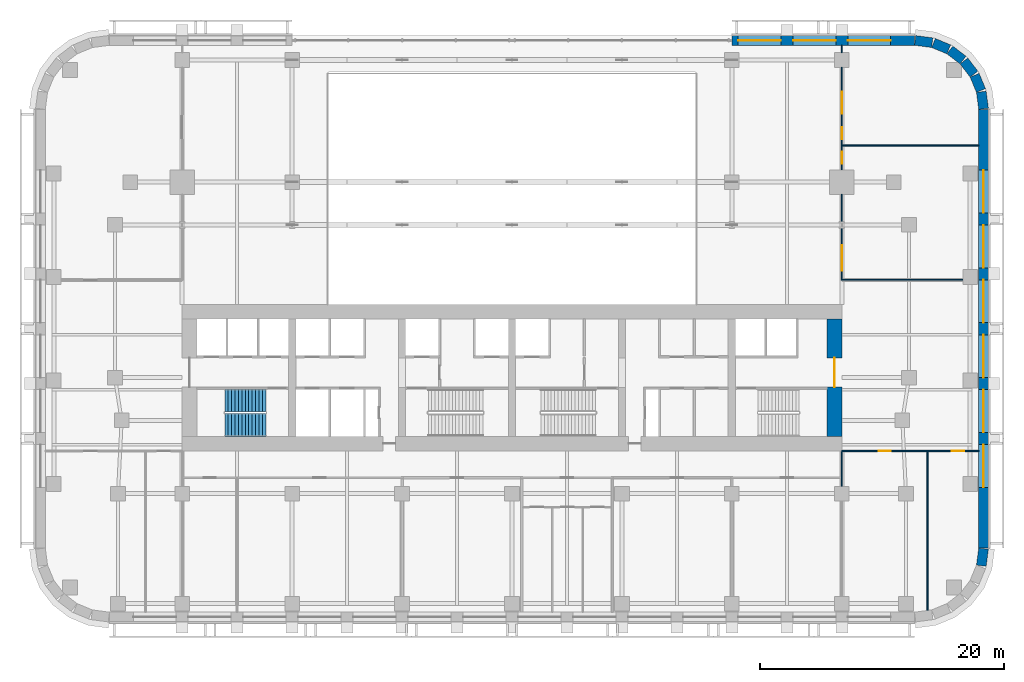
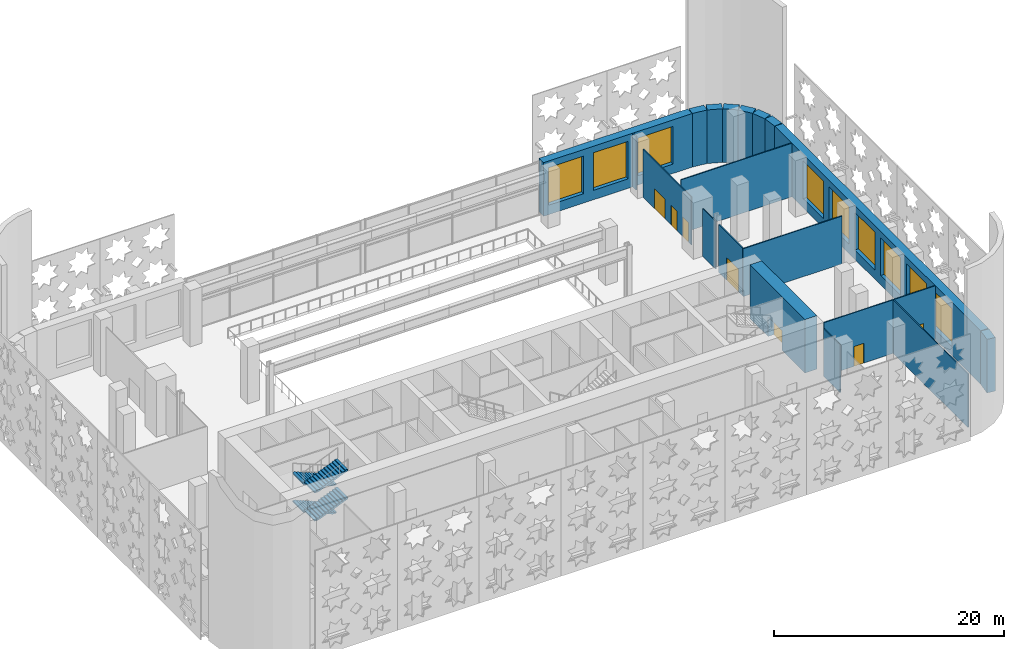
# One storey, part 8 of 17: 19 walls, 9 windows, 7 doors, 4 stair flights, 16 openings, 1 element without a shape of its own.
"""IFC4 building model written with IfcOpenShell, lengths in metres."""

from ifc_helpers import new_model, si_unit, direction, frame, frame_2d, origin, place, context, subcontext, project, spatial, polyline, rectangle, outline, extrude, material, layer, layer_set, type_object, element, fill, aggregate, save


model = new_model("IFC4")

# Units and contexts
model_context = context("Model", 3, precision=1e-05, world=origin(), true_north=direction((0.0, 1.0)))
body_context = subcontext(model_context, "Body", "Model", "MODEL_VIEW")
ifc_project = project(units=[si_unit("LENGTHUNIT", "METRE"), si_unit("AREAUNIT", "SQUARE_METRE"), si_unit("VOLUMEUNIT", "CUBIC_METRE"), si_unit("PLANEANGLEUNIT", "RADIAN"), si_unit("MASSUNIT", "GRAM", prefix="KILO")], contexts=[model_context])

# Site, building, storey
site_placement = place(None, origin())
site = spatial("IfcSite", under=ifc_project, at=site_placement, CompositionType="ELEMENT")
building_placement = place(site_placement, origin())
building = spatial("IfcBuilding", under=site, at=building_placement, Name="Zellij Exchange Tower", CompositionType="ELEMENT")
storey_placement = place(building_placement, frame((0.0, 0.0, 21.0)))
storey = spatial("IfcBuildingStorey", under=building, at=storey_placement, Name="L03", CompositionType="ELEMENT", Elevation=21.0)

# Wall, opening, door
ifc_material_1 = material(Name="Concrete C70/85", Category="concrete")
ifc_layer_1 = layer(ifc_material_1, 1.199951171875)
ifc_layer_set_1 = layer_set([ifc_layer_1], Name="Concrete C70/85")
wall_type_1 = type_object("IfcWallType", Name="CORE-SW 1200 C70/85", PredefinedType="SHEAR", material=ifc_layer_set_1)
wall_1_placement = place(storey_placement, frame((26.39990234375, -12.800048828125, 0.0), z_axis=(0.0, 0.0, 1.0), x_axis=(0.0, 1.0, 0.0)))
wall_1 = element("IfcWall", 1, at=wall_1_placement, inside=storey, type_object=wall_type_1, Name="Core shear wall end e L03", PredefinedType="SHEAR", context=body_context, shape_type="SweptSolid", body=[
    extrude(rectangle(XDim=9.60009765625, YDim=1.199951171875, at=frame_2d((4.800048828125, 0.0))), origin(), (0.0, 0.0, 1.0), 5.699951171875),
])
opening_1_placement = place(wall_1_placement, frame((4.011962890625, 0.0, 0.0)))
opening_1 = element("IfcOpeningElement", 2, at=opening_1_placement, cuts=wall_1, Name="Opening CA-05.26", PredefinedType="OPENING", context=body_context, shape_type="SweptSolid", body=[
    extrude(rectangle(XDim=2.39990234375, YDim=2.10009765625, at=frame_2d((1.199951171875, 1.050048828125))), frame((0.0, 0.61181640625, 0.0), z_axis=(0.0, -1.0, 0.0), x_axis=(1.0, 0.0, 0.0)), (0.0, 0.0, 1.0), 1.223876953125),
])
ifc_material_2 = material(Name="Hollow metal fire door")
door_type_1 = type_object("IfcDoorType", Name="CORE-D CE Core entrance door 2400x2100 20 MIN", OperationType="NOTDEFINED", PredefinedType="DOOR", material=ifc_material_2)
door_1_placement = place(opening_1_placement, origin())
door_1 = element("IfcDoor", 3, at=door_1_placement, inside=storey, type_object=door_type_1, Name="Core entrance door CA-05.26", OperationType="DOUBLE_DOOR_SINGLE_SWING", OverallHeight=2.10009765625, OverallWidth=2.39990234375, PredefinedType="DOOR", context=body_context, shape_type="SweptSolid", body=[
    extrude(rectangle(XDim=2.39990234375, YDim=2.10009765625, at=frame_2d((1.199951171875, 1.050048828125))), frame((0.0, 0.02490234375, 0.0), z_axis=(0.0, -1.0, 0.0), x_axis=(1.0, 0.0, 0.0)), (0.0, 0.0, 1.0), 0.050048828125),
])
fill(opening_1, door_1)

# Wall
ifc_material_3 = material(Name="Precast concrete C40/50", Category="concrete")
ifc_layer_2 = layer(ifc_material_3, 0.800048828125)
ifc_layer_set_2 = layer_set([ifc_layer_2], Name="Precast concrete C40/50")
wall_type_2 = type_object("IfcWallType", Name="ENV-EW1 Precast stone-piered wall 800", PredefinedType="SOLIDWALL", material=ifc_layer_set_2)
wall_2_placement = place(storey_placement, frame((38.412841796875, -23.396240234375, 0.0), z_axis=(0.0, 0.0, 1.0), x_axis=(0.130517283865, 0.99144603414, 0.0)))
element("IfcWall", 4, at=wall_2_placement, inside=storey, type_object=wall_type_2, Name="fac.L03.06", PredefinedType="SOLIDWALL", context=body_context, shape_type="SweptSolid", body=[
    extrude(rectangle(XDim=1.408447265625, YDim=0.800048828125, at=frame_2d((0.7041015625, 0.0))), origin(), (0.0, 0.0, 1.0), 5.699951171875),
])

# Wall, openings, windows
wall_3_placement = place(storey_placement, frame((38.60009765625, -21.947509765625, 0.0), z_axis=(0.0, 0.0, 1.0), x_axis=(0.0, 1.0, 0.0)))
wall_3 = element("IfcWall", 5, at=wall_3_placement, inside=storey, type_object=wall_type_2, Name="fac.L03.07", PredefinedType="SOLIDWALL", context=body_context, shape_type="SweptSolid", body=[
    extrude(rectangle(XDim=35.89501953125, YDim=0.800048828125, at=frame_2d((17.947509765625, 0.0))), origin(), (0.0, 0.0, 1.0), 5.699951171875),
])
opening_2_placement = place(wall_3_placement, frame((4.9638671875, 0.0, 1.0)))
opening_2 = element("IfcOpeningElement", 6, at=opening_2_placement, cuts=wall_3, Name="Opening FP.15", PredefinedType="OPENING", context=body_context, shape_type="SweptSolid", body=[
    extrude(rectangle(XDim=3.5, YDim=4.0, at=frame_2d((1.75, 2.0))), frame((0.0, 0.412109375, 0.0), z_axis=(0.0, -1.0, 0.0), x_axis=(1.0, 0.0, 0.0)), (0.0, 0.0, 1.0), 0.823974609375),
])
opening_3_placement = place(wall_3_placement, frame((9.45751953125, 0.0, 1.0)))
opening_3 = element("IfcOpeningElement", 7, at=opening_3_placement, cuts=wall_3, Name="Opening FP.16", PredefinedType="OPENING", context=body_context, shape_type="SweptSolid", body=[
    extrude(rectangle(XDim=3.5, YDim=4.0, at=frame_2d((1.75, 2.0))), frame((0.0, 0.412109375, 0.0), z_axis=(0.0, -1.0, 0.0), x_axis=(1.0, 0.0, 0.0)), (0.0, 0.0, 1.0), 0.823974609375),
])
opening_4_placement = place(wall_3_placement, frame((13.950927734375, 0.0, 1.0)))
opening_4 = element("IfcOpeningElement", 8, at=opening_4_placement, cuts=wall_3, Name="Opening FP.17", PredefinedType="OPENING", context=body_context, shape_type="SweptSolid", body=[
    extrude(rectangle(XDim=3.5, YDim=4.0, at=frame_2d((1.75, 2.0))), frame((0.0, 0.412109375, 0.0), z_axis=(0.0, -1.0, 0.0), x_axis=(1.0, 0.0, 0.0)), (0.0, 0.0, 1.0), 0.823974609375),
])
opening_5_placement = place(wall_3_placement, frame((18.4443359375, 0.0, 1.0)))
opening_5 = element("IfcOpeningElement", 9, at=opening_5_placement, cuts=wall_3, Name="Opening FP.18", PredefinedType="OPENING", context=body_context, shape_type="SweptSolid", body=[
    extrude(rectangle(XDim=3.5, YDim=4.0, at=frame_2d((1.75, 2.0))), frame((0.0, 0.412109375, 0.0), z_axis=(0.0, -1.0, 0.0), x_axis=(1.0, 0.0, 0.0)), (0.0, 0.0, 1.0), 0.823974609375),
])
opening_6_placement = place(wall_3_placement, frame((22.937744140625, 0.0, 1.0)))
opening_6 = element("IfcOpeningElement", 10, at=opening_6_placement, cuts=wall_3, Name="Opening FP.19", PredefinedType="OPENING", context=body_context, shape_type="SweptSolid", body=[
    extrude(rectangle(XDim=3.5, YDim=4.0, at=frame_2d((1.75, 2.0))), frame((0.0, 0.412109375, 0.0), z_axis=(0.0, -1.0, 0.0), x_axis=(1.0, 0.0, 0.0)), (0.0, 0.0, 1.0), 0.823974609375),
])
opening_7_placement = place(wall_3_placement, frame((27.43115234375, 0.0, 1.0)))
opening_7 = element("IfcOpeningElement", 11, at=opening_7_placement, cuts=wall_3, Name="Opening FP.20", PredefinedType="OPENING", context=body_context, shape_type="SweptSolid", body=[
    extrude(rectangle(XDim=3.5, YDim=4.0, at=frame_2d((1.75, 2.0))), frame((0.0, 0.412109375, 0.0), z_axis=(0.0, -1.0, 0.0), x_axis=(1.0, 0.0, 0.0)), (0.0, 0.0, 1.0), 0.823974609375),
])
ifc_material_4 = material(Name="Aluminium frame with insulating glass", Category="aluminium")
window_type = type_object("IfcWindowType", Name="ENV-W2 Window 3500x4000", PartitioningType="SINGLE_PANEL", PredefinedType="WINDOW", material=ifc_material_4)
window_1_placement = place(opening_2_placement, origin())
window_1 = element("IfcWindow", 12, at=window_1_placement, inside=storey, type_object=window_type, Name="Window FP.15", OverallHeight=4.0, OverallWidth=3.5, PartitioningType="SINGLE_PANEL", PredefinedType="WINDOW", context=body_context, shape_type="SweptSolid", body=[
    extrude(rectangle(XDim=3.5, YDim=4.0, at=frame_2d((1.75, 2.0))), frame((0.0, 0.030029296875, 0.0), z_axis=(0.0, -1.0, 0.0), x_axis=(1.0, 0.0, 0.0)), (0.0, 0.0, 1.0), 0.06005859375),
])
fill(opening_2, window_1)
window_2_placement = place(opening_3_placement, origin())
window_2 = element("IfcWindow", 13, at=window_2_placement, inside=storey, type_object=window_type, Name="Window FP.16", OverallHeight=4.0, OverallWidth=3.5, PartitioningType="SINGLE_PANEL", PredefinedType="WINDOW", context=body_context, shape_type="SweptSolid", body=[
    extrude(rectangle(XDim=3.5, YDim=4.0, at=frame_2d((1.75, 2.0))), frame((0.0, 0.030029296875, 0.0), z_axis=(0.0, -1.0, 0.0), x_axis=(1.0, 0.0, 0.0)), (0.0, 0.0, 1.0), 0.06005859375),
])
fill(opening_3, window_2)
window_3_placement = place(opening_4_placement, origin())
window_3 = element("IfcWindow", 14, at=window_3_placement, inside=storey, type_object=window_type, Name="Window FP.17", OverallHeight=4.0, OverallWidth=3.5, PartitioningType="SINGLE_PANEL", PredefinedType="WINDOW", context=body_context, shape_type="SweptSolid", body=[
    extrude(rectangle(XDim=3.5, YDim=4.0, at=frame_2d((1.75, 2.0))), frame((0.0, 0.030029296875, 0.0), z_axis=(0.0, -1.0, 0.0), x_axis=(1.0, 0.0, 0.0)), (0.0, 0.0, 1.0), 0.06005859375),
])
fill(opening_4, window_3)
window_4_placement = place(opening_5_placement, origin())
window_4 = element("IfcWindow", 15, at=window_4_placement, inside=storey, type_object=window_type, Name="Window FP.18", OverallHeight=4.0, OverallWidth=3.5, PartitioningType="SINGLE_PANEL", PredefinedType="WINDOW", context=body_context, shape_type="SweptSolid", body=[
    extrude(rectangle(XDim=3.5, YDim=4.0, at=frame_2d((1.75, 2.0))), frame((0.0, 0.030029296875, 0.0), z_axis=(0.0, -1.0, 0.0), x_axis=(1.0, 0.0, 0.0)), (0.0, 0.0, 1.0), 0.06005859375),
])
fill(opening_5, window_4)
window_5_placement = place(opening_6_placement, origin())
window_5 = element("IfcWindow", 16, at=window_5_placement, inside=storey, type_object=window_type, Name="Window FP.19", OverallHeight=4.0, OverallWidth=3.5, PartitioningType="SINGLE_PANEL", PredefinedType="WINDOW", context=body_context, shape_type="SweptSolid", body=[
    extrude(rectangle(XDim=3.5, YDim=4.0, at=frame_2d((1.75, 2.0))), frame((0.0, 0.030029296875, 0.0), z_axis=(0.0, -1.0, 0.0), x_axis=(1.0, 0.0, 0.0)), (0.0, 0.0, 1.0), 0.06005859375),
])
fill(opening_6, window_5)
window_6_placement = place(opening_7_placement, origin())
window_6 = element("IfcWindow", 17, at=window_6_placement, inside=storey, type_object=window_type, Name="Window FP.20", OverallHeight=4.0, OverallWidth=3.5, PartitioningType="SINGLE_PANEL", PredefinedType="WINDOW", context=body_context, shape_type="SweptSolid", body=[
    extrude(rectangle(XDim=3.5, YDim=4.0, at=frame_2d((1.75, 2.0))), frame((0.0, 0.030029296875, 0.0), z_axis=(0.0, -1.0, 0.0), x_axis=(1.0, 0.0, 0.0)), (0.0, 0.0, 1.0), 0.06005859375),
])
fill(opening_7, window_6)

# Walls
wall_4_placement = place(storey_placement, frame((38.5966796875, 13.999755859375, 0.0), z_axis=(0.0, 0.0, 1.0), x_axis=(-0.130517283865, 0.99144603414, 0.0)))
element("IfcWall", 18, at=wall_4_placement, inside=storey, type_object=wall_type_2, Name="fac.L03.08", PredefinedType="SOLIDWALL", context=body_context, shape_type="SweptSolid", body=[
    extrude(rectangle(XDim=1.408447265625, YDim=0.800048828125, at=frame_2d((0.7041015625, 0.0))), origin(), (0.0, 0.0, 1.0), 5.699951171875),
])
wall_5_placement = place(storey_placement, frame((38.3857421875, 15.497314453125, 0.0), z_axis=(0.0, 0.0, 1.0), x_axis=(-0.38276009378, 0.923847774587, 0.0)))
element("IfcWall", 19, at=wall_5_placement, inside=storey, type_object=wall_type_2, Name="fac.L03.09", PredefinedType="SOLIDWALL", context=body_context, shape_type="SweptSolid", body=[
    extrude(rectangle(XDim=1.35546875, YDim=0.800048828125, at=frame_2d((0.677734375, 0.0))), origin(), (0.0, 0.0, 1.0), 5.699951171875),
])
for number, where, z_axis, x_axis, name in (
    (20, (37.814697265625, 16.840087890625, 0.0), (0.0, 0.0, 1.0), (-0.608866226366, 0.793272915452, 0.0), "fac.L03.10"),
    (21, (36.91552734375, 17.9892578125, 0.0), (0.0, 0.0, 1.0), (-0.793272915452, 0.608866226366, 0.0), "fac.L03.11"),
):
    element("IfcWall", number, at=place(storey_placement, frame(where, z_axis=z_axis, x_axis=x_axis)), inside=storey, type_object=wall_type_2, Name=name, PredefinedType="SOLIDWALL", context=body_context, shape_type="SweptSolid", body=[
        extrude(rectangle(XDim=1.355712890625, YDim=0.800048828125, at=frame_2d((0.677734375, 0.0))), origin(), (0.0, 0.0, 1.0), 5.699951171875),
    ])
wall_6_placement = place(storey_placement, frame((35.74951171875, 18.866943359375, 0.0), z_axis=(0.0, 0.0, 1.0), x_axis=(-0.923847774587, 0.38276009378, 0.0)))
element("IfcWall", 22, at=wall_6_placement, inside=storey, type_object=wall_type_2, Name="fac.L03.12", PredefinedType="SOLIDWALL", context=body_context, shape_type="SweptSolid", body=[
    extrude(rectangle(XDim=1.35546875, YDim=0.800048828125, at=frame_2d((0.677734375, 0.0))), origin(), (0.0, 0.0, 1.0), 5.699951171875),
])
wall_7_placement = place(storey_placement, frame((34.396240234375, 19.412841796875, 0.0), z_axis=(0.0, 0.0, 1.0), x_axis=(-0.99144603414, 0.130517283865, 0.0)))
element("IfcWall", 23, at=wall_7_placement, inside=storey, type_object=wall_type_2, Name="fac.L03.13", PredefinedType="SOLIDWALL", context=body_context, shape_type="SweptSolid", body=[
    extrude(rectangle(XDim=1.408447265625, YDim=0.800048828125, at=frame_2d((0.7041015625, 0.0))), origin(), (0.0, 0.0, 1.0), 5.699951171875),
])

# Wall, openings, windows
wall_8_placement = place(storey_placement, frame((32.947509765625, 19.60009765625, 0.0), z_axis=(0.0, 0.0, 1.0), x_axis=(-1.0, 0.0, 0.0)))
wall_8 = element("IfcWall", 24, at=wall_8_placement, inside=storey, type_object=wall_type_2, Name="fac.L03.14a", PredefinedType="SOLIDWALL", context=body_context, shape_type="SweptSolid", body=[
    extrude(rectangle(XDim=14.947509765625, YDim=0.800048828125, at=frame_2d((7.4736328125, 0.0))), origin(), (0.0, 0.0, 1.0), 5.699951171875),
])
opening_8_placement = place(wall_8_placement, frame((1.947509765625, 0.0, 1.0)))
opening_8 = element("IfcOpeningElement", 25, at=opening_8_placement, cuts=wall_8, Name="Opening FP.22", PredefinedType="OPENING", context=body_context, shape_type="SweptSolid", body=[
    extrude(rectangle(XDim=3.5, YDim=4.0, at=frame_2d((1.75, 2.0))), frame((0.0, 0.412109375, 0.0), z_axis=(0.0, -1.0, 0.0), x_axis=(1.0, 0.0, 0.0)), (0.0, 0.0, 1.0), 0.823974609375),
])
opening_9_placement = place(wall_8_placement, frame((6.447509765625, 0.0, 1.0)))
opening_9 = element("IfcOpeningElement", 26, at=opening_9_placement, cuts=wall_8, Name="Opening FP.24", PredefinedType="OPENING", context=body_context, shape_type="SweptSolid", body=[
    extrude(rectangle(XDim=3.5, YDim=4.0, at=frame_2d((1.75, 2.0))), frame((0.0, 0.412109375, 0.0), z_axis=(0.0, -1.0, 0.0), x_axis=(1.0, 0.0, 0.0)), (0.0, 0.0, 1.0), 0.823974609375),
])
opening_10_placement = place(wall_8_placement, frame((10.947509765625, 0.0, 1.0)))
opening_10 = element("IfcOpeningElement", 27, at=opening_10_placement, cuts=wall_8, Name="Opening FP.26", PredefinedType="OPENING", context=body_context, shape_type="SweptSolid", body=[
    extrude(rectangle(XDim=3.5, YDim=4.0, at=frame_2d((1.75, 2.0))), frame((0.0, 0.412109375, 0.0), z_axis=(0.0, -1.0, 0.0), x_axis=(1.0, 0.0, 0.0)), (0.0, 0.0, 1.0), 0.823974609375),
])
window_7_placement = place(opening_8_placement, origin())
window_7 = element("IfcWindow", 28, at=window_7_placement, inside=storey, type_object=window_type, Name="Window FP.22", OverallHeight=4.0, OverallWidth=3.5, PartitioningType="SINGLE_PANEL", PredefinedType="WINDOW", context=body_context, shape_type="SweptSolid", body=[
    extrude(rectangle(XDim=3.5, YDim=4.0, at=frame_2d((1.75, 2.0))), frame((0.0, 0.030029296875, 0.0), z_axis=(0.0, -1.0, 0.0), x_axis=(1.0, 0.0, 0.0)), (0.0, 0.0, 1.0), 0.06005859375),
])
fill(opening_8, window_7)
window_8_placement = place(opening_9_placement, origin())
window_8 = element("IfcWindow", 29, at=window_8_placement, inside=storey, type_object=window_type, Name="Window FP.24", OverallHeight=4.0, OverallWidth=3.5, PartitioningType="SINGLE_PANEL", PredefinedType="WINDOW", context=body_context, shape_type="SweptSolid", body=[
    extrude(rectangle(XDim=3.5, YDim=4.0, at=frame_2d((1.75, 2.0))), frame((0.0, 0.030029296875, 0.0), z_axis=(0.0, -1.0, 0.0), x_axis=(1.0, 0.0, 0.0)), (0.0, 0.0, 1.0), 0.06005859375),
])
fill(opening_9, window_8)
window_9_placement = place(opening_10_placement, origin())
window_9 = element("IfcWindow", 30, at=window_9_placement, inside=storey, type_object=window_type, Name="Window FP.26", OverallHeight=4.0, OverallWidth=3.5, PartitioningType="SINGLE_PANEL", PredefinedType="WINDOW", context=body_context, shape_type="SweptSolid", body=[
    extrude(rectangle(XDim=3.5, YDim=4.0, at=frame_2d((1.75, 2.0))), frame((0.0, 0.030029296875, 0.0), z_axis=(0.0, -1.0, 0.0), x_axis=(1.0, 0.0, 0.0)), (0.0, 0.0, 1.0), 0.06005859375),
])
fill(opening_10, window_9)

# Walls
ifc_material_5 = material(Name="Gypsum board partition on steel studs", Category="steel")
ifc_layer_3 = layer(ifc_material_5, 0.10009765625)
ifc_layer_set_3 = layer_set([ifc_layer_3], Name="Gypsum board partition on steel studs")
wall_type_3 = type_object("IfcWallType", Name="FIT-PARTITION-100", PredefinedType="PARTITIONING", material=ifc_layer_set_3)
wall_9_placement = place(storey_placement, frame((27.0, -16.89990234375, 0.0), z_axis=(0.0, 0.0, 1.0), x_axis=(0.0, 1.0, 0.0)))
element("IfcWall", 31, at=wall_9_placement, inside=storey, type_object=wall_type_3, Name="FIT-PARTITION-100 015", PredefinedType="PARTITIONING", context=body_context, shape_type="SweptSolid", body=[
    extrude(rectangle(XDim=2.849853515625, YDim=0.10009765625, at=frame_2d((1.4248046875, 0.0))), origin(), (0.0, 0.0, 1.0), 5.087890625),
])
wall_10_placement = place(storey_placement, frame((34.0, -27.050048828125, 0.0), z_axis=(0.0, 0.0, 1.0), x_axis=(0.0, 1.0, 0.0)))
element("IfcWall", 32, at=wall_10_placement, inside=storey, type_object=wall_type_3, Name="FIT-PARTITION-100 016", PredefinedType="PARTITIONING", context=body_context, shape_type="SweptSolid", body=[
    extrude(rectangle(XDim=13.0, YDim=0.10009765625, at=frame_2d((6.5, 0.0))), origin(), (0.0, 0.0, 1.0), 5.699951171875),
])

# Wall, openings, doors
wall_11_placement = place(storey_placement, frame((27.0, -14.0, 0.0), z_axis=(0.0, 0.0, 1.0), x_axis=(1.0, 0.0, 0.0)))
wall_11 = element("IfcWall", 33, at=wall_11_placement, inside=storey, type_object=wall_type_3, Name="FIT-PARTITION-100 024", PredefinedType="PARTITIONING", context=body_context, shape_type="SweptSolid", body=[
    extrude(rectangle(XDim=11.199951171875, YDim=0.10009765625, at=frame_2d((5.60009765625, 0.0))), origin(), (0.0, 0.0, 1.0), 5.699951171875),
])
opening_11_placement = place(wall_11_placement, frame((3.0, 0.0, 0.0)))
opening_11 = element("IfcOpeningElement", 34, at=opening_11_placement, cuts=wall_11, Name="Opening P3.12", PredefinedType="OPENING", context=body_context, shape_type="SweptSolid", body=[
    extrude(rectangle(XDim=1.0, YDim=2.10009765625, at=frame_2d((0.5, 1.050048828125))), frame((0.0, 0.06201171875, 0.0), z_axis=(0.0, -1.0, 0.0), x_axis=(1.0, 0.0, 0.0)), (0.0, 0.0, 1.0), 0.1240234375),
])
opening_12_placement = place(wall_11_placement, frame((9.0, 0.0, 0.0)))
opening_12 = element("IfcOpeningElement", 35, at=opening_12_placement, cuts=wall_11, Name="Opening P3.13", PredefinedType="OPENING", context=body_context, shape_type="SweptSolid", body=[
    extrude(rectangle(XDim=1.0, YDim=2.10009765625, at=frame_2d((0.5, 1.050048828125))), frame((0.0, 0.06201171875, 0.0), z_axis=(0.0, -1.0, 0.0), x_axis=(1.0, 0.0, 0.0)), (0.0, 0.0, 1.0), 0.1240234375),
])
ifc_material_6 = material(Name="Timber door set", Category="wood")
door_type_2 = type_object("IfcDoorType", Name="FIT-D2-WIDE-1000X2100", OperationType="SINGLE_SWING_LEFT", PredefinedType="DOOR", material=ifc_material_6)
door_2_placement = place(opening_11_placement, origin())
door_2 = element("IfcDoor", 36, at=door_2_placement, inside=storey, type_object=door_type_2, Name="Door P3.12", OperationType="SINGLE_SWING_RIGHT", OverallHeight=2.10009765625, OverallWidth=1.0, PredefinedType="DOOR", context=body_context, shape_type="SweptSolid", body=[
    extrude(rectangle(XDim=1.0, YDim=2.10009765625, at=frame_2d((0.5, 1.050048828125))), frame((0.0, 0.02490234375, 0.0), z_axis=(0.0, -1.0, 0.0), x_axis=(1.0, 0.0, 0.0)), (0.0, 0.0, 1.0), 0.050048828125),
])
fill(opening_11, door_2)
door_3_placement = place(opening_12_placement, origin())
door_3 = element("IfcDoor", 37, at=door_3_placement, inside=storey, type_object=door_type_2, Name="Door P3.13", OperationType="SINGLE_SWING_LEFT", OverallHeight=2.10009765625, OverallWidth=1.0, PredefinedType="DOOR", context=body_context, shape_type="SweptSolid", body=[
    extrude(rectangle(XDim=1.0, YDim=2.10009765625, at=frame_2d((0.5, 1.050048828125))), frame((0.0, 0.02490234375, 0.0), z_axis=(0.0, -1.0, 0.0), x_axis=(1.0, 0.0, 0.0)), (0.0, 0.0, 1.0), 0.050048828125),
])
fill(opening_12, door_3)

# Wall
wall_12_placement = place(storey_placement, frame((26.949951171875, 0.0, 0.0), z_axis=(0.0, 0.0, 1.0), x_axis=(1.0, 0.0, 0.0)))
element("IfcWall", 38, at=wall_12_placement, inside=storey, type_object=wall_type_3, Name="FIT-PARTITION-100 030", PredefinedType="PARTITIONING", context=body_context, shape_type="SweptSolid", body=[
    extrude(rectangle(XDim=9.949951171875, YDim=0.10009765625, at=frame_2d((4.97509765625, 0.0))), origin(), (0.0, 0.0, 1.0), 5.087890625),
])

# Wall, opening, door
wall_13_placement = place(storey_placement, frame((27.0, 0.050048828125, 0.0), z_axis=(0.0, 0.0, 1.0), x_axis=(0.0, 1.0, 0.0)))
wall_13 = element("IfcWall", 39, at=wall_13_placement, inside=storey, type_object=wall_type_3, Name="FIT-PARTITION-100 031", PredefinedType="PARTITIONING", context=body_context, shape_type="SweptSolid", body=[
    extrude(rectangle(XDim=4.16552734375, YDim=0.10009765625, at=frame_2d((2.082763671875, 0.0))), origin(), (0.0, 0.0, 1.0), 5.087890625),
])
opening_13_placement = place(wall_13_placement, frame((0.699951171875, 0.0, 0.0)))
opening_13 = element("IfcOpeningElement", 40, at=opening_13_placement, cuts=wall_13, Name="Opening P3.15", PredefinedType="OPENING", context=body_context, shape_type="SweptSolid", body=[
    extrude(rectangle(XDim=2.10009765625, YDim=2.39990234375, at=frame_2d((1.050048828125, 1.199951171875))), frame((0.0, 0.06201171875, 0.0), z_axis=(0.0, -1.0, 0.0), x_axis=(1.0, 0.0, 0.0)), (0.0, 0.0, 1.0), 0.1240234375),
])
door_type_3 = type_object("IfcDoorType", Name="FIT-D7-ASSEMBLY-2100X2400", OperationType="DOUBLE_DOOR_SINGLE_SWING", PredefinedType="DOOR", material=ifc_material_6)
door_4_placement = place(opening_13_placement, origin())
door_4 = element("IfcDoor", 41, at=door_4_placement, inside=storey, type_object=door_type_3, Name="Door P3.15", OperationType="DOUBLE_DOOR_SINGLE_SWING", OverallHeight=2.39990234375, OverallWidth=2.10009765625, PredefinedType="DOOR", context=body_context, shape_type="SweptSolid", body=[
    extrude(rectangle(XDim=2.10009765625, YDim=2.39990234375, at=frame_2d((1.050048828125, 1.199951171875))), frame((0.0, 0.02490234375, 0.0), z_axis=(0.0, -1.0, 0.0), x_axis=(1.0, 0.0, 0.0)), (0.0, 0.0, 1.0), 0.050048828125),
])
fill(opening_13, door_4)

# Wall
wall_14_placement = place(storey_placement, frame((27.0, 4.784423828125, 0.0), z_axis=(0.0, 0.0, 1.0), x_axis=(0.0, 1.0, 0.0)))
element("IfcWall", 42, at=wall_14_placement, inside=storey, type_object=wall_type_3, Name="FIT-PARTITION-100 032", PredefinedType="PARTITIONING", context=body_context, shape_type="SweptSolid", body=[
    extrude(rectangle(XDim=2.215576171875, YDim=0.10009765625, at=frame_2d((1.10791015625, 0.0))), origin(), (0.0, 0.0, 1.0), 5.087890625),
])

# Wall, openings, doors
wall_15_placement = place(storey_placement, frame((27.0, 9.0, 0.0), z_axis=(0.0, 0.0, 1.0), x_axis=(0.0, 1.0, 0.0)))
wall_15 = element("IfcWall", 43, at=wall_15_placement, inside=storey, type_object=wall_type_3, Name="FIT-PARTITION-100 033", PredefinedType="PARTITIONING", context=body_context, shape_type="SweptSolid", body=[
    extrude(rectangle(XDim=8.39990234375, YDim=0.10009765625, at=frame_2d((4.199951171875, 0.0))), origin(), (0.0, 0.0, 1.0), 5.087890625),
])
opening_14_placement = place(wall_15_placement, frame((0.5, 0.0, 0.0)))
opening_14 = element("IfcOpeningElement", 44, at=opening_14_placement, cuts=wall_15, Name="Opening P3.16", PredefinedType="OPENING", context=body_context, shape_type="SweptSolid", body=[
    extrude(rectangle(XDim=1.0, YDim=2.10009765625, at=frame_2d((0.5, 1.050048828125))), frame((0.0, 0.06201171875, 0.0), z_axis=(0.0, -1.0, 0.0), x_axis=(1.0, 0.0, 0.0)), (0.0, 0.0, 1.0), 0.1240234375),
])
opening_15_placement = place(wall_15_placement, frame((2.5, 0.0, 0.0)))
opening_15 = element("IfcOpeningElement", 45, at=opening_15_placement, cuts=wall_15, Name="Opening P3.17", PredefinedType="OPENING", context=body_context, shape_type="SweptSolid", body=[
    extrude(rectangle(XDim=1.0, YDim=2.10009765625, at=frame_2d((0.5, 1.050048828125))), frame((0.0, 0.06201171875, 0.0), z_axis=(0.0, -1.0, 0.0), x_axis=(1.0, 0.0, 0.0)), (0.0, 0.0, 1.0), 0.1240234375),
])
opening_16_placement = place(wall_15_placement, frame((4.60009765625, 0.0, 0.0)))
opening_16 = element("IfcOpeningElement", 46, at=opening_16_placement, cuts=wall_15, Name="Opening P3.19", PredefinedType="OPENING", context=body_context, shape_type="SweptSolid", body=[
    extrude(rectangle(XDim=1.800048828125, YDim=2.10009765625, at=frame_2d((0.89990234375, 1.050048828125))), frame((0.0, 0.06201171875, 0.0), z_axis=(0.0, -1.0, 0.0), x_axis=(1.0, 0.0, 0.0)), (0.0, 0.0, 1.0), 0.1240234375),
])
door_5_placement = place(opening_14_placement, origin())
door_5 = element("IfcDoor", 47, at=door_5_placement, inside=storey, type_object=door_type_2, Name="Door P3.16", OperationType="SINGLE_SWING_LEFT", OverallHeight=2.10009765625, OverallWidth=1.0, PredefinedType="DOOR", context=body_context, shape_type="SweptSolid", body=[
    extrude(rectangle(XDim=1.0, YDim=2.10009765625, at=frame_2d((0.5, 1.050048828125))), frame((0.0, 0.02490234375, 0.0), z_axis=(0.0, -1.0, 0.0), x_axis=(1.0, 0.0, 0.0)), (0.0, 0.0, 1.0), 0.050048828125),
])
fill(opening_14, door_5)
door_6_placement = place(opening_15_placement, origin())
door_6 = element("IfcDoor", 48, at=door_6_placement, inside=storey, type_object=door_type_2, Name="Door P3.17", OperationType="SINGLE_SWING_RIGHT", OverallHeight=2.10009765625, OverallWidth=1.0, PredefinedType="DOOR", context=body_context, shape_type="SweptSolid", body=[
    extrude(rectangle(XDim=1.0, YDim=2.10009765625, at=frame_2d((0.5, 1.050048828125))), frame((0.0, 0.02490234375, 0.0), z_axis=(0.0, -1.0, 0.0), x_axis=(1.0, 0.0, 0.0)), (0.0, 0.0, 1.0), 0.050048828125),
])
fill(opening_15, door_6)
door_type_4 = type_object("IfcDoorType", Name="FIT-D3-DOUBLE-1800X2100", OperationType="DOUBLE_DOOR_SINGLE_SWING", PredefinedType="DOOR", material=ifc_material_6)
door_7_placement = place(opening_16_placement, origin())
door_7 = element("IfcDoor", 49, at=door_7_placement, inside=storey, type_object=door_type_4, Name="Door P3.19", OperationType="DOUBLE_DOOR_SINGLE_SWING", OverallHeight=2.10009765625, OverallWidth=1.800048828125, PredefinedType="DOOR", context=body_context, shape_type="SweptSolid", body=[
    extrude(rectangle(XDim=1.800048828125, YDim=2.10009765625, at=frame_2d((0.89990234375, 1.050048828125))), frame((0.0, 0.02490234375, 0.0), z_axis=(0.0, -1.0, 0.0), x_axis=(1.0, 0.0, 0.0)), (0.0, 0.0, 1.0), 0.050048828125),
])
fill(opening_16, door_7)

# Walls
wall_16_placement = place(storey_placement, frame((27.0, 18.60009765625, 0.0), z_axis=(0.0, 0.0, 1.0), x_axis=(0.0, 1.0, 0.0)))
element("IfcWall", 50, at=wall_16_placement, inside=storey, type_object=wall_type_3, Name="FIT-PARTITION-100 034", PredefinedType="PARTITIONING", context=body_context, shape_type="SweptSolid", body=[
    extrude(rectangle(XDim=0.599853515625, YDim=0.10009765625, at=frame_2d((0.2998046875, 0.0))), origin(), (0.0, 0.0, 1.0), 5.699951171875),
])
wall_17_placement = place(storey_placement, frame((27.050048828125, 11.0, 0.0), z_axis=(0.0, 0.0, 1.0), x_axis=(1.0, 0.0, 0.0)))
element("IfcWall", 51, at=wall_17_placement, inside=storey, type_object=wall_type_3, Name="FIT-PARTITION-100 035", PredefinedType="PARTITIONING", context=body_context, shape_type="SweptSolid", body=[
    extrude(rectangle(XDim=11.14990234375, YDim=0.10009765625, at=frame_2d((5.574951171875, 0.0))), origin(), (0.0, 0.0, 1.0), 5.699951171875),
])

# Stair, stair flights
ifc_material_7 = material(Name="Concrete C40/50", Category="concrete")
stair_type = type_object("IfcStairType", Name="CORE-ST exit stair 1850 wide", PredefinedType="HALF_TURN_STAIR", material=ifc_material_7)
stair_placement = place(storey_placement, origin())
stair = element("IfcStair", 52, at=stair_placement, inside=storey, type_object=stair_type, Name="L03 exit stair ST1", PredefinedType="HALF_TURN_STAIR")
stair_flight_type = type_object("IfcStairFlightType", Name="CORE-SF flight 1850 riser 115.4 going 280", PredefinedType="STRAIGHT", material=ifc_material_7)
stair_flight_1_placement = place(storey_placement, frame((-20.14990234375, -9.875, 0.0), z_axis=(0.0, 0.0, 1.0), x_axis=(-1.0, 0.0, 0.0)))
stair_flight_1 = element("IfcStairFlight", 53, at=stair_flight_1_placement, type_object=stair_flight_type, Name="ST1 flight 1", NumberOfRisers=13, NumberOfTreads=12, PredefinedType="STRAIGHT", RiserHeight=0.115384615, TreadLength=0.28, context=body_context, shape_type="SweptSolid", body=[
    extrude(outline(polyline([(0.0, 0.0), (0.0, 0.115478515625), (0.280029296875, 0.115478515625), (0.280029296875, 0.230712890625), (0.56005859375, 0.230712890625), (0.56005859375, 0.34619140625), (0.840087890625, 0.34619140625), (0.840087890625, 0.46142578125), (1.1201171875, 0.46142578125), (1.1201171875, 0.576904296875), (1.39990234375, 0.576904296875), (1.39990234375, 0.6923828125), (1.679931640625, 0.6923828125), (1.679931640625, 0.8076171875), (1.9599609375, 0.8076171875), (1.9599609375, 0.923095703125), (2.239990234375, 0.923095703125), (2.239990234375, 1.03857421875), (2.52001953125, 1.03857421875), (2.52001953125, 1.15380859375), (2.800048828125, 1.15380859375), (2.800048828125, 1.269287109375), (3.080078125, 1.269287109375), (3.080078125, 1.384521484375), (3.360107421875, 1.384521484375), (3.360107421875, 1.5), (3.360107421875, 1.222412109375), (0.3935546875, 0.0), (0.0, 0.0)])), frame((0.0, 0.925048828125, 0.0), z_axis=(0.0, -1.0, 0.0), x_axis=(1.0, 0.0, 0.0)), (0.0, 0.0, 1.0), 1.85009765625),
])
stair_flight_2_placement = place(storey_placement, frame((-23.510009765625, -11.875, 1.5), z_axis=(0.0, 0.0, 1.0), x_axis=(1.0, 0.0, 0.0)))
stair_flight_2 = element("IfcStairFlight", 54, at=stair_flight_2_placement, type_object=stair_flight_type, Name="ST1 flight 2", NumberOfRisers=13, NumberOfTreads=12, PredefinedType="STRAIGHT", RiserHeight=0.115384615, TreadLength=0.28, context=body_context, shape_type="SweptSolid", body=[
    extrude(outline(polyline([(0.0, 0.0), (0.0, 0.115478515625), (0.280029296875, 0.115478515625), (0.280029296875, 0.230712890625), (0.56005859375, 0.230712890625), (0.56005859375, 0.34619140625), (0.840087890625, 0.34619140625), (0.840087890625, 0.46142578125), (1.1201171875, 0.46142578125), (1.1201171875, 0.576904296875), (1.39990234375, 0.576904296875), (1.39990234375, 0.6923828125), (1.679931640625, 0.6923828125), (1.679931640625, 0.8076171875), (1.9599609375, 0.8076171875), (1.9599609375, 0.923095703125), (2.239990234375, 0.923095703125), (2.239990234375, 1.03857421875), (2.52001953125, 1.03857421875), (2.52001953125, 1.15380859375), (2.800048828125, 1.15380859375), (2.800048828125, 1.269287109375), (3.080078125, 1.269287109375), (3.080078125, 1.384521484375), (3.360107421875, 1.384521484375), (3.360107421875, 1.5), (3.360107421875, 1.222412109375), (0.3935546875, 0.0), (0.0, 0.0)])), frame((0.0, 0.925048828125, 0.0), z_axis=(0.0, -1.0, 0.0), x_axis=(1.0, 0.0, 0.0)), (0.0, 0.0, 1.0), 1.85009765625),
])
stair_flight_3_placement = place(storey_placement, frame((-20.14990234375, -9.875, 3.0), z_axis=(0.0, 0.0, 1.0), x_axis=(-1.0, 0.0, 0.0)))
stair_flight_3 = element("IfcStairFlight", 55, at=stair_flight_3_placement, type_object=stair_flight_type, Name="ST1 flight 3", NumberOfRisers=13, NumberOfTreads=12, PredefinedType="STRAIGHT", RiserHeight=0.115384615, TreadLength=0.28, context=body_context, shape_type="SweptSolid", body=[
    extrude(outline(polyline([(0.0, 0.0), (0.0, 0.115478515625), (0.280029296875, 0.115478515625), (0.280029296875, 0.230712890625), (0.56005859375, 0.230712890625), (0.56005859375, 0.34619140625), (0.840087890625, 0.34619140625), (0.840087890625, 0.46142578125), (1.1201171875, 0.46142578125), (1.1201171875, 0.576904296875), (1.39990234375, 0.576904296875), (1.39990234375, 0.6923828125), (1.679931640625, 0.6923828125), (1.679931640625, 0.8076171875), (1.9599609375, 0.8076171875), (1.9599609375, 0.923095703125), (2.239990234375, 0.923095703125), (2.239990234375, 1.03857421875), (2.52001953125, 1.03857421875), (2.52001953125, 1.15380859375), (2.800048828125, 1.15380859375), (2.800048828125, 1.269287109375), (3.080078125, 1.269287109375), (3.080078125, 1.384521484375), (3.360107421875, 1.384521484375), (3.360107421875, 1.5), (3.360107421875, 1.222412109375), (0.3935546875, 0.0), (0.0, 0.0)])), frame((0.0, 0.925048828125, 0.0), z_axis=(0.0, -1.0, 0.0), x_axis=(1.0, 0.0, 0.0)), (0.0, 0.0, 1.0), 1.85009765625),
])
stair_flight_4_placement = place(storey_placement, frame((-23.510009765625, -11.875, 4.5), z_axis=(0.0, 0.0, 1.0), x_axis=(1.0, 0.0, 0.0)))
stair_flight_4 = element("IfcStairFlight", 56, at=stair_flight_4_placement, type_object=stair_flight_type, Name="ST1 flight 4", NumberOfRisers=13, NumberOfTreads=12, PredefinedType="STRAIGHT", RiserHeight=0.115384615, TreadLength=0.28, context=body_context, shape_type="SweptSolid", body=[
    extrude(outline(polyline([(0.0, 0.0), (0.0, 0.115478515625), (0.280029296875, 0.115478515625), (0.280029296875, 0.230712890625), (0.56005859375, 0.230712890625), (0.56005859375, 0.34619140625), (0.840087890625, 0.34619140625), (0.840087890625, 0.46142578125), (1.1201171875, 0.46142578125), (1.1201171875, 0.576904296875), (1.39990234375, 0.576904296875), (1.39990234375, 0.6923828125), (1.679931640625, 0.6923828125), (1.679931640625, 0.8076171875), (1.9599609375, 0.8076171875), (1.9599609375, 0.923095703125), (2.239990234375, 0.923095703125), (2.239990234375, 1.03857421875), (2.52001953125, 1.03857421875), (2.52001953125, 1.15380859375), (2.800048828125, 1.15380859375), (2.800048828125, 1.269287109375), (3.080078125, 1.269287109375), (3.080078125, 1.384521484375), (3.360107421875, 1.384521484375), (3.360107421875, 1.5), (3.360107421875, 1.222412109375), (0.3935546875, 0.0), (0.0, 0.0)])), frame((0.0, 0.925048828125, 0.0), z_axis=(0.0, -1.0, 0.0), x_axis=(1.0, 0.0, 0.0)), (0.0, 0.0, 1.0), 1.85009765625),
])
aggregate(stair, [stair_flight_1, stair_flight_2, stair_flight_3, stair_flight_4])

save(model, "model.ifc")
